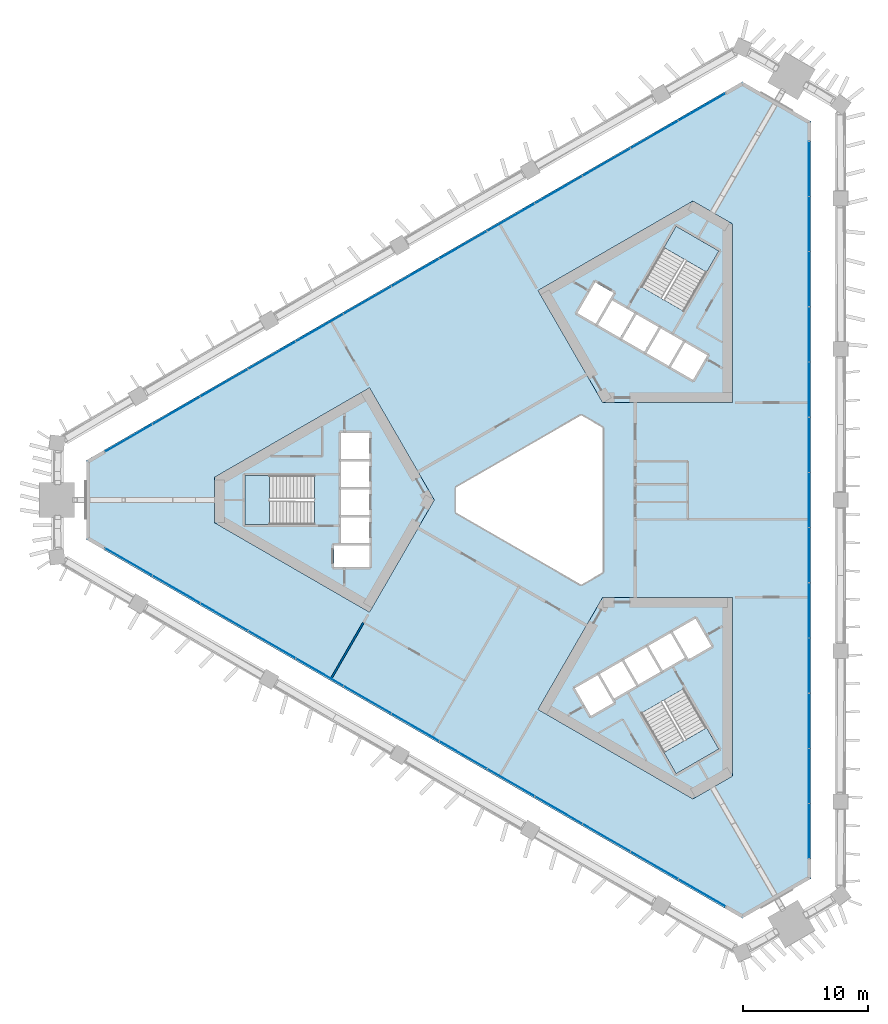
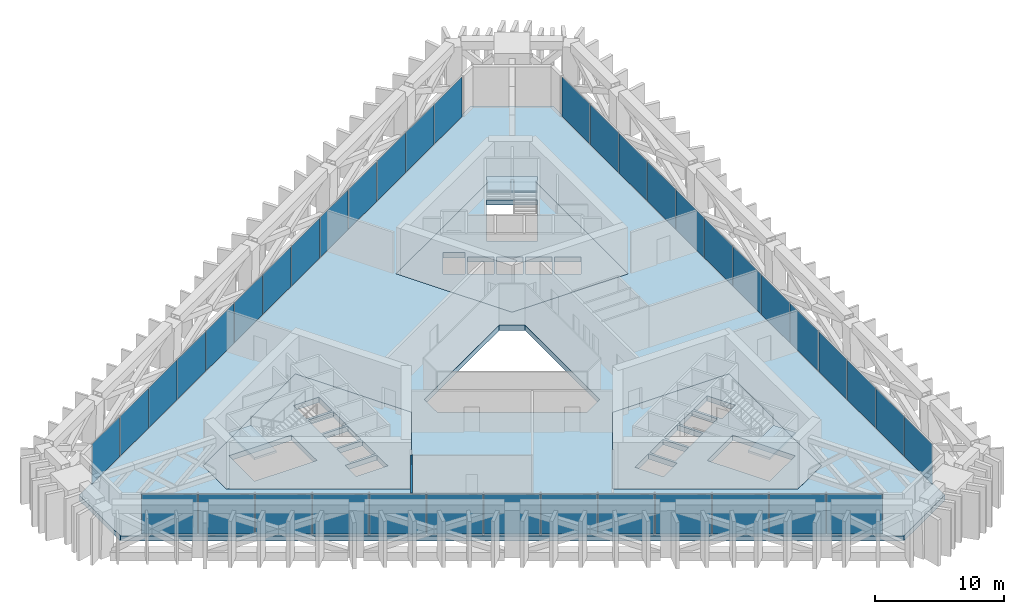
# One storey, part 13 of 18: 39 plates, 7 slabs, 1 wall, 6 elements without a shape of their own.
"""IFC4 building model written with IfcOpenShell, lengths in metres."""

from ifc_helpers import new_model, si_unit, direction, frame, frame_2d, origin, origin_2d, place, context, subcontext, project, spatial, polyline, rectangle, outline, extrude, material, layer, layer_set, type_object, element, aggregate, save


model = new_model("IFC4")

# Units and contexts
model_context = context("Model", 3, precision=1e-05, world=origin(), true_north=direction((0.0, 1.0)))
body_context = subcontext(model_context, "Body", "Model", "MODEL_VIEW")
ifc_project = project(units=[si_unit("LENGTHUNIT", "METRE"), si_unit("AREAUNIT", "SQUARE_METRE"), si_unit("VOLUMEUNIT", "CUBIC_METRE"), si_unit("PLANEANGLEUNIT", "RADIAN"), si_unit("MASSUNIT", "GRAM", prefix="KILO")], contexts=[model_context])

# Site, building, storey
site_placement = place(None, origin())
site = spatial("IfcSite", under=ifc_project, at=site_placement, CompositionType="ELEMENT")
building_placement = place(site_placement, origin())
building = spatial("IfcBuilding", under=site, at=building_placement, Name="Jabali Bay Hotel Tower and Convention Centre", CompositionType="ELEMENT")
storey_placement = place(building_placement, frame((0.0, 0.0, 52.89990234375)))
storey = spatial("IfcBuildingStorey", under=building, at=storey_placement, Name="L11", CompositionType="ELEMENT", Elevation=52.89990234375)

# Curtain wall, plates
ifc_material_1 = material(Name="Aluminium and glass", Category="aluminium")
ifc_layer_1 = layer(ifc_material_1, 0.159912109375)
ifc_layer_set_1 = layer_set([ifc_layer_1], Name="Aluminium and glass")
curtain_wall_type = type_object("IfcCurtainWallType", Name="CW3 curtain wall", PredefinedType="NOTDEFINED", material=ifc_layer_set_1)
curtain_wall_1_placement = place(storey_placement, origin())
curtain_wall_1 = element("IfcCurtainWall", 1, at=curtain_wall_1_placement, inside=storey, type_object=curtain_wall_type, Name="CW3 curtain wall east face L11", PredefinedType="NOTDEFINED")
ifc_material_2 = material(Name="Glass", Category="glass")
ifc_layer_2 = layer(ifc_material_2, 0.028076171875)
ifc_layer_set_2 = layer_set([ifc_layer_2], Name="Glass")
plate_type = type_object("IfcPlateType", Name="CW3 glass panel 28", PredefinedType="CURTAIN_PANEL", material=ifc_layer_set_2)
plate_1_placement = place(storey_placement, frame((96.03759765625, 106.521484375, 0.06005859375), z_axis=(0.0, 0.0, 1.0), x_axis=(0.0, -1.0, 0.0)))
plate_1 = element("IfcPlate", 2, at=plate_1_placement, type_object=plate_type, Name="CW3 panel 1.1", PredefinedType="CURTAIN_PANEL", context=body_context, shape_type="SweptSolid", body=[
    extrude(rectangle(XDim=4.332763671875, YDim=0.028076171875, at=origin_2d()), origin(), (0.0, 0.0, 1.0), 3.780029296875),
])
plate_2_placement = place(storey_placement, frame((96.03759765625, 102.113525390625, 0.06005859375), z_axis=(0.0, 0.0, 1.0), x_axis=(0.0, -1.0, 0.0)))
plate_2 = element("IfcPlate", 3, at=plate_2_placement, type_object=plate_type, Name="CW3 panel 2.1", PredefinedType="CURTAIN_PANEL", context=body_context, shape_type="SweptSolid", body=[
    extrude(rectangle(XDim=4.36279296875, YDim=0.028076171875, at=origin_2d()), origin(), (0.0, 0.0, 1.0), 3.780029296875),
])
plate_3_placement = place(storey_placement, frame((96.03759765625, 97.69091796875, 0.06005859375), z_axis=(0.0, 0.0, 1.0), x_axis=(0.0, -1.0, 0.0)))
plate_3 = element("IfcPlate", 4, at=plate_3_placement, type_object=plate_type, Name="CW3 panel 3.1", PredefinedType="CURTAIN_PANEL", context=body_context, shape_type="SweptSolid", body=[
    extrude(rectangle(XDim=4.36279296875, YDim=0.028076171875, at=origin_2d()), origin(), (0.0, 0.0, 1.0), 3.780029296875),
])
plate_4_placement = place(storey_placement, frame((96.03759765625, 93.26806640625, 0.06005859375), z_axis=(0.0, 0.0, 1.0), x_axis=(0.0, -1.0, 0.0)))
plate_4 = element("IfcPlate", 5, at=plate_4_placement, type_object=plate_type, Name="CW3 panel 4.1", PredefinedType="CURTAIN_PANEL", context=body_context, shape_type="SweptSolid", body=[
    extrude(rectangle(XDim=4.36279296875, YDim=0.028076171875, at=origin_2d()), origin(), (0.0, 0.0, 1.0), 3.780029296875),
])
plate_5_placement = place(storey_placement, frame((96.03759765625, 88.845458984375, 0.06005859375), z_axis=(0.0, 0.0, 1.0), x_axis=(0.0, -1.0, 0.0)))
plate_5 = element("IfcPlate", 6, at=plate_5_placement, type_object=plate_type, Name="CW3 panel 5.1", PredefinedType="CURTAIN_PANEL", context=body_context, shape_type="SweptSolid", body=[
    extrude(rectangle(XDim=4.36279296875, YDim=0.028076171875, at=origin_2d()), origin(), (0.0, 0.0, 1.0), 3.780029296875),
])
plate_6_placement = place(storey_placement, frame((96.03759765625, 84.422607421875, 0.06005859375), z_axis=(0.0, 0.0, 1.0), x_axis=(0.0, -1.0, 0.0)))
plate_6 = element("IfcPlate", 7, at=plate_6_placement, type_object=plate_type, Name="CW3 panel 6.1", PredefinedType="CURTAIN_PANEL", context=body_context, shape_type="SweptSolid", body=[
    extrude(rectangle(XDim=4.36279296875, YDim=0.028076171875, at=origin_2d()), origin(), (0.0, 0.0, 1.0), 3.780029296875),
])
plate_7_placement = place(storey_placement, frame((96.03759765625, 80.0, 0.06005859375), z_axis=(0.0, 0.0, 1.0), x_axis=(0.0, -1.0, 0.0)))
plate_7 = element("IfcPlate", 8, at=plate_7_placement, type_object=plate_type, Name="CW3 panel 7.1", PredefinedType="CURTAIN_PANEL", context=body_context, shape_type="SweptSolid", body=[
    extrude(rectangle(XDim=4.36279296875, YDim=0.028076171875, at=origin_2d()), origin(), (0.0, 0.0, 1.0), 3.780029296875),
])
plate_8_placement = place(storey_placement, frame((96.03759765625, 75.577392578125, 0.06005859375), z_axis=(0.0, 0.0, 1.0), x_axis=(0.0, -1.0, 0.0)))
plate_8 = element("IfcPlate", 9, at=plate_8_placement, type_object=plate_type, Name="CW3 panel 8.1", PredefinedType="CURTAIN_PANEL", context=body_context, shape_type="SweptSolid", body=[
    extrude(rectangle(XDim=4.36279296875, YDim=0.028076171875, at=origin_2d()), origin(), (0.0, 0.0, 1.0), 3.780029296875),
])
plate_9_placement = place(storey_placement, frame((96.03759765625, 71.154541015625, 0.06005859375), z_axis=(0.0, 0.0, 1.0), x_axis=(0.0, -1.0, 0.0)))
plate_9 = element("IfcPlate", 10, at=plate_9_placement, type_object=plate_type, Name="CW3 panel 9.1", PredefinedType="CURTAIN_PANEL", context=body_context, shape_type="SweptSolid", body=[
    extrude(rectangle(XDim=4.36279296875, YDim=0.028076171875, at=origin_2d()), origin(), (0.0, 0.0, 1.0), 3.780029296875),
])
plate_10_placement = place(storey_placement, frame((96.03759765625, 66.73193359375, 0.06005859375), z_axis=(0.0, 0.0, 1.0), x_axis=(0.0, -1.0, 0.0)))
plate_10 = element("IfcPlate", 11, at=plate_10_placement, type_object=plate_type, Name="CW3 panel 10.1", PredefinedType="CURTAIN_PANEL", context=body_context, shape_type="SweptSolid", body=[
    extrude(rectangle(XDim=4.36279296875, YDim=0.028076171875, at=origin_2d()), origin(), (0.0, 0.0, 1.0), 3.780029296875),
])
plate_11_placement = place(storey_placement, frame((96.03759765625, 62.30908203125, 0.06005859375), z_axis=(0.0, 0.0, 1.0), x_axis=(0.0, -1.0, 0.0)))
plate_11 = element("IfcPlate", 12, at=plate_11_placement, type_object=plate_type, Name="CW3 panel 11.1", PredefinedType="CURTAIN_PANEL", context=body_context, shape_type="SweptSolid", body=[
    extrude(rectangle(XDim=4.36279296875, YDim=0.028076171875, at=origin_2d()), origin(), (0.0, 0.0, 1.0), 3.780029296875),
])
plate_12_placement = place(storey_placement, frame((96.03759765625, 57.886474609375, 0.06005859375), z_axis=(0.0, 0.0, 1.0), x_axis=(0.0, -1.0, 0.0)))
plate_12 = element("IfcPlate", 13, at=plate_12_placement, type_object=plate_type, Name="CW3 panel 12.1", PredefinedType="CURTAIN_PANEL", context=body_context, shape_type="SweptSolid", body=[
    extrude(rectangle(XDim=4.36279296875, YDim=0.028076171875, at=origin_2d()), origin(), (0.0, 0.0, 1.0), 3.780029296875),
])
plate_13_placement = place(storey_placement, frame((96.03759765625, 53.478515625, 0.06005859375), z_axis=(0.0, 0.0, 1.0), x_axis=(0.0, -1.0, 0.0)))
plate_13 = element("IfcPlate", 14, at=plate_13_placement, type_object=plate_type, Name="CW3 panel 13.1", PredefinedType="CURTAIN_PANEL", context=body_context, shape_type="SweptSolid", body=[
    extrude(rectangle(XDim=4.332763671875, YDim=0.028076171875, at=origin_2d()), origin(), (0.0, 0.0, 1.0), 3.780029296875),
])
aggregate(curtain_wall_1, [plate_1, plate_2, plate_3, plate_4, plate_5, plate_6, plate_7, plate_8, plate_9, plate_10, plate_11, plate_12, plate_13])

curtain_wall_2_placement = place(storey_placement, origin())
curtain_wall_2 = element("IfcCurtainWall", 15, at=curtain_wall_2_placement, inside=storey, type_object=curtain_wall_type, Name="CW3 curtain wall north-west face L11", PredefinedType="NOTDEFINED")
plate_14_placement = place(storey_placement, frame((41.512939453125, 84.95849609375, 0.06005859375), z_axis=(0.0, 0.0, 1.0), x_axis=(0.866025400381, 0.500000005895, 0.0)))
plate_14 = element("IfcPlate", 16, at=plate_14_placement, type_object=plate_type, Name="CW3 panel 1.1", PredefinedType="CURTAIN_PANEL", context=body_context, shape_type="SweptSolid", body=[
    extrude(rectangle(XDim=4.332763671875, YDim=0.028076171875, at=origin_2d()), origin(), (0.0, 0.0, 1.0), 3.780029296875),
])
plate_15_placement = place(storey_placement, frame((45.330078125, 87.162353515625, 0.06005859375), z_axis=(0.0, 0.0, 1.0), x_axis=(0.866025400381, 0.500000005895, 0.0)))
plate_15 = element("IfcPlate", 17, at=plate_15_placement, type_object=plate_type, Name="CW3 panel 2.1", PredefinedType="CURTAIN_PANEL", context=body_context, shape_type="SweptSolid", body=[
    extrude(rectangle(XDim=4.36279296875, YDim=0.028076171875, at=origin_2d()), origin(), (0.0, 0.0, 1.0), 3.780029296875),
])
plate_16_placement = place(storey_placement, frame((49.160400390625, 89.373779296875, 0.06005859375), z_axis=(0.0, 0.0, 1.0), x_axis=(0.866025400381, 0.500000005895, 0.0)))
plate_16 = element("IfcPlate", 18, at=plate_16_placement, type_object=plate_type, Name="CW3 panel 3.1", PredefinedType="CURTAIN_PANEL", context=body_context, shape_type="SweptSolid", body=[
    extrude(rectangle(XDim=4.36279296875, YDim=0.028076171875, at=origin_2d()), origin(), (0.0, 0.0, 1.0), 3.780029296875),
])
plate_17_placement = place(storey_placement, frame((52.990478515625, 91.5849609375, 0.06005859375), z_axis=(0.0, 0.0, 1.0), x_axis=(0.866025400381, 0.500000005895, 0.0)))
plate_17 = element("IfcPlate", 19, at=plate_17_placement, type_object=plate_type, Name="CW3 panel 4.1", PredefinedType="CURTAIN_PANEL", context=body_context, shape_type="SweptSolid", body=[
    extrude(rectangle(XDim=4.36279296875, YDim=0.028076171875, at=origin_2d()), origin(), (0.0, 0.0, 1.0), 3.780029296875),
])
plate_18_placement = place(storey_placement, frame((56.82080078125, 93.79638671875, 0.06005859375), z_axis=(0.0, 0.0, 1.0), x_axis=(0.866025400381, 0.500000005895, 0.0)))
plate_18 = element("IfcPlate", 20, at=plate_18_placement, type_object=plate_type, Name="CW3 panel 5.1", PredefinedType="CURTAIN_PANEL", context=body_context, shape_type="SweptSolid", body=[
    extrude(rectangle(XDim=4.36279296875, YDim=0.028076171875, at=origin_2d()), origin(), (0.0, 0.0, 1.0), 3.780029296875),
])
plate_19_placement = place(storey_placement, frame((60.65087890625, 96.0078125, 0.06005859375), z_axis=(0.0, 0.0, 1.0), x_axis=(0.866025400381, 0.500000005895, 0.0)))
plate_19 = element("IfcPlate", 21, at=plate_19_placement, type_object=plate_type, Name="CW3 panel 6.1", PredefinedType="CURTAIN_PANEL", context=body_context, shape_type="SweptSolid", body=[
    extrude(rectangle(XDim=4.36279296875, YDim=0.028076171875, at=origin_2d()), origin(), (0.0, 0.0, 1.0), 3.780029296875),
])
plate_20_placement = place(storey_placement, frame((64.481201171875, 98.21923828125, 0.06005859375), z_axis=(0.0, 0.0, 1.0), x_axis=(0.866025400381, 0.500000005895, 0.0)))
plate_20 = element("IfcPlate", 22, at=plate_20_placement, type_object=plate_type, Name="CW3 panel 7.1", PredefinedType="CURTAIN_PANEL", context=body_context, shape_type="SweptSolid", body=[
    extrude(rectangle(XDim=4.36279296875, YDim=0.028076171875, at=origin_2d()), origin(), (0.0, 0.0, 1.0), 3.780029296875),
])
plate_21_placement = place(storey_placement, frame((68.311279296875, 100.430419921875, 0.06005859375), z_axis=(0.0, 0.0, 1.0), x_axis=(0.866025400381, 0.500000005895, 0.0)))
plate_21 = element("IfcPlate", 23, at=plate_21_placement, type_object=plate_type, Name="CW3 panel 8.1", PredefinedType="CURTAIN_PANEL", context=body_context, shape_type="SweptSolid", body=[
    extrude(rectangle(XDim=4.36279296875, YDim=0.028076171875, at=origin_2d()), origin(), (0.0, 0.0, 1.0), 3.780029296875),
])
plate_22_placement = place(storey_placement, frame((72.1416015625, 102.641845703125, 0.06005859375), z_axis=(0.0, 0.0, 1.0), x_axis=(0.866025400381, 0.500000005895, 0.0)))
plate_22 = element("IfcPlate", 24, at=plate_22_placement, type_object=plate_type, Name="CW3 panel 9.1", PredefinedType="CURTAIN_PANEL", context=body_context, shape_type="SweptSolid", body=[
    extrude(rectangle(XDim=4.36279296875, YDim=0.028076171875, at=origin_2d()), origin(), (0.0, 0.0, 1.0), 3.780029296875),
])
plate_23_placement = place(storey_placement, frame((75.9716796875, 104.853271484375, 0.06005859375), z_axis=(0.0, 0.0, 1.0), x_axis=(0.866025400381, 0.500000005895, 0.0)))
plate_23 = element("IfcPlate", 25, at=plate_23_placement, type_object=plate_type, Name="CW3 panel 10.1", PredefinedType="CURTAIN_PANEL", context=body_context, shape_type="SweptSolid", body=[
    extrude(rectangle(XDim=4.36279296875, YDim=0.028076171875, at=origin_2d()), origin(), (0.0, 0.0, 1.0), 3.780029296875),
])
plate_24_placement = place(storey_placement, frame((79.802001953125, 107.064697265625, 0.06005859375), z_axis=(0.0, 0.0, 1.0), x_axis=(0.866025400381, 0.500000005895, 0.0)))
plate_24 = element("IfcPlate", 26, at=plate_24_placement, type_object=plate_type, Name="CW3 panel 11.1", PredefinedType="CURTAIN_PANEL", context=body_context, shape_type="SweptSolid", body=[
    extrude(rectangle(XDim=4.36279296875, YDim=0.028076171875, at=origin_2d()), origin(), (0.0, 0.0, 1.0), 3.780029296875),
])
plate_25_placement = place(storey_placement, frame((83.632080078125, 109.27587890625, 0.06005859375), z_axis=(0.0, 0.0, 1.0), x_axis=(0.866025400381, 0.500000005895, 0.0)))
plate_25 = element("IfcPlate", 27, at=plate_25_placement, type_object=plate_type, Name="CW3 panel 12.1", PredefinedType="CURTAIN_PANEL", context=body_context, shape_type="SweptSolid", body=[
    extrude(rectangle(XDim=4.36279296875, YDim=0.028076171875, at=origin_2d()), origin(), (0.0, 0.0, 1.0), 3.780029296875),
])
plate_26_placement = place(storey_placement, frame((87.449462890625, 111.479736328125, 0.06005859375), z_axis=(0.0, 0.0, 1.0), x_axis=(0.866025400381, 0.500000005895, 0.0)))
plate_26 = element("IfcPlate", 28, at=plate_26_placement, type_object=plate_type, Name="CW3 panel 13.1", PredefinedType="CURTAIN_PANEL", context=body_context, shape_type="SweptSolid", body=[
    extrude(rectangle(XDim=4.332763671875, YDim=0.028076171875, at=origin_2d()), origin(), (0.0, 0.0, 1.0), 3.780029296875),
])
aggregate(curtain_wall_2, [plate_14, plate_15, plate_16, plate_17, plate_18, plate_19, plate_20, plate_21, plate_22, plate_23, plate_24, plate_25, plate_26])

curtain_wall_3_placement = place(storey_placement, origin())
curtain_wall_3 = element("IfcCurtainWall", 29, at=curtain_wall_3_placement, inside=storey, type_object=curtain_wall_type, Name="CW3 curtain wall south-west face L11", PredefinedType="NOTDEFINED")
plate_27_placement = place(storey_placement, frame((87.449462890625, 48.520263671875, 0.06005859375), z_axis=(0.0, 0.0, 1.0), x_axis=(-0.866025400381, 0.500000005895, 0.0)))
plate_27 = element("IfcPlate", 30, at=plate_27_placement, type_object=plate_type, Name="CW3 panel 1.1", PredefinedType="CURTAIN_PANEL", context=body_context, shape_type="SweptSolid", body=[
    extrude(rectangle(XDim=4.332763671875, YDim=0.028076171875, at=origin_2d()), origin(), (0.0, 0.0, 1.0), 3.780029296875),
])
plate_28_placement = place(storey_placement, frame((83.632080078125, 50.72412109375, 0.06005859375), z_axis=(0.0, 0.0, 1.0), x_axis=(-0.866025400381, 0.500000005895, 0.0)))
plate_28 = element("IfcPlate", 31, at=plate_28_placement, type_object=plate_type, Name="CW3 panel 2.1", PredefinedType="CURTAIN_PANEL", context=body_context, shape_type="SweptSolid", body=[
    extrude(rectangle(XDim=4.36279296875, YDim=0.028076171875, at=origin_2d()), origin(), (0.0, 0.0, 1.0), 3.780029296875),
])
plate_29_placement = place(storey_placement, frame((79.802001953125, 52.935302734375, 0.06005859375), z_axis=(0.0, 0.0, 1.0), x_axis=(-0.866025400381, 0.500000005895, 0.0)))
plate_29 = element("IfcPlate", 32, at=plate_29_placement, type_object=plate_type, Name="CW3 panel 3.1", PredefinedType="CURTAIN_PANEL", context=body_context, shape_type="SweptSolid", body=[
    extrude(rectangle(XDim=4.36279296875, YDim=0.028076171875, at=origin_2d()), origin(), (0.0, 0.0, 1.0), 3.780029296875),
])
plate_30_placement = place(storey_placement, frame((75.9716796875, 55.146728515625, 0.06005859375), z_axis=(0.0, 0.0, 1.0), x_axis=(-0.866025400381, 0.500000005895, 0.0)))
plate_30 = element("IfcPlate", 33, at=plate_30_placement, type_object=plate_type, Name="CW3 panel 4.1", PredefinedType="CURTAIN_PANEL", context=body_context, shape_type="SweptSolid", body=[
    extrude(rectangle(XDim=4.36279296875, YDim=0.028076171875, at=origin_2d()), origin(), (0.0, 0.0, 1.0), 3.780029296875),
])
plate_31_placement = place(storey_placement, frame((72.1416015625, 57.358154296875, 0.06005859375), z_axis=(0.0, 0.0, 1.0), x_axis=(-0.866025400381, 0.500000005895, 0.0)))
plate_31 = element("IfcPlate", 34, at=plate_31_placement, type_object=plate_type, Name="CW3 panel 5.1", PredefinedType="CURTAIN_PANEL", context=body_context, shape_type="SweptSolid", body=[
    extrude(rectangle(XDim=4.36279296875, YDim=0.028076171875, at=origin_2d()), origin(), (0.0, 0.0, 1.0), 3.780029296875),
])
plate_32_placement = place(storey_placement, frame((68.311279296875, 59.569580078125, 0.06005859375), z_axis=(0.0, 0.0, 1.0), x_axis=(-0.866025400381, 0.500000005895, 0.0)))
plate_32 = element("IfcPlate", 35, at=plate_32_placement, type_object=plate_type, Name="CW3 panel 6.1", PredefinedType="CURTAIN_PANEL", context=body_context, shape_type="SweptSolid", body=[
    extrude(rectangle(XDim=4.36279296875, YDim=0.028076171875, at=origin_2d()), origin(), (0.0, 0.0, 1.0), 3.780029296875),
])
plate_33_placement = place(storey_placement, frame((64.481201171875, 61.78076171875, 0.06005859375), z_axis=(0.0, 0.0, 1.0), x_axis=(-0.866025400381, 0.500000005895, 0.0)))
plate_33 = element("IfcPlate", 36, at=plate_33_placement, type_object=plate_type, Name="CW3 panel 7.1", PredefinedType="CURTAIN_PANEL", context=body_context, shape_type="SweptSolid", body=[
    extrude(rectangle(XDim=4.36279296875, YDim=0.028076171875, at=origin_2d()), origin(), (0.0, 0.0, 1.0), 3.780029296875),
])
plate_34_placement = place(storey_placement, frame((60.65087890625, 63.9921875, 0.06005859375), z_axis=(0.0, 0.0, 1.0), x_axis=(-0.866025400381, 0.500000005895, 0.0)))
plate_34 = element("IfcPlate", 37, at=plate_34_placement, type_object=plate_type, Name="CW3 panel 8.1", PredefinedType="CURTAIN_PANEL", context=body_context, shape_type="SweptSolid", body=[
    extrude(rectangle(XDim=4.36279296875, YDim=0.028076171875, at=origin_2d()), origin(), (0.0, 0.0, 1.0), 3.780029296875),
])
plate_35_placement = place(storey_placement, frame((56.82080078125, 66.20361328125, 0.06005859375), z_axis=(0.0, 0.0, 1.0), x_axis=(-0.866025400381, 0.500000005895, 0.0)))
plate_35 = element("IfcPlate", 38, at=plate_35_placement, type_object=plate_type, Name="CW3 panel 9.1", PredefinedType="CURTAIN_PANEL", context=body_context, shape_type="SweptSolid", body=[
    extrude(rectangle(XDim=4.36279296875, YDim=0.028076171875, at=origin_2d()), origin(), (0.0, 0.0, 1.0), 3.780029296875),
])
plate_36_placement = place(storey_placement, frame((52.990478515625, 68.4150390625, 0.06005859375), z_axis=(0.0, 0.0, 1.0), x_axis=(-0.866025400381, 0.500000005895, 0.0)))
plate_36 = element("IfcPlate", 39, at=plate_36_placement, type_object=plate_type, Name="CW3 panel 10.1", PredefinedType="CURTAIN_PANEL", context=body_context, shape_type="SweptSolid", body=[
    extrude(rectangle(XDim=4.36279296875, YDim=0.028076171875, at=origin_2d()), origin(), (0.0, 0.0, 1.0), 3.780029296875),
])
plate_37_placement = place(storey_placement, frame((49.160400390625, 70.626220703125, 0.06005859375), z_axis=(0.0, 0.0, 1.0), x_axis=(-0.866025400381, 0.500000005895, 0.0)))
plate_37 = element("IfcPlate", 40, at=plate_37_placement, type_object=plate_type, Name="CW3 panel 11.1", PredefinedType="CURTAIN_PANEL", context=body_context, shape_type="SweptSolid", body=[
    extrude(rectangle(XDim=4.36279296875, YDim=0.028076171875, at=origin_2d()), origin(), (0.0, 0.0, 1.0), 3.780029296875),
])
plate_38_placement = place(storey_placement, frame((45.330078125, 72.837646484375, 0.06005859375), z_axis=(0.0, 0.0, 1.0), x_axis=(-0.866025400381, 0.500000005895, 0.0)))
plate_38 = element("IfcPlate", 41, at=plate_38_placement, type_object=plate_type, Name="CW3 panel 12.1", PredefinedType="CURTAIN_PANEL", context=body_context, shape_type="SweptSolid", body=[
    extrude(rectangle(XDim=4.36279296875, YDim=0.028076171875, at=origin_2d()), origin(), (0.0, 0.0, 1.0), 3.780029296875),
])
plate_39_placement = place(storey_placement, frame((41.512939453125, 75.04150390625, 0.06005859375), z_axis=(0.0, 0.0, 1.0), x_axis=(-0.866025400381, 0.500000005895, 0.0)))
plate_39 = element("IfcPlate", 42, at=plate_39_placement, type_object=plate_type, Name="CW3 panel 13.1", PredefinedType="CURTAIN_PANEL", context=body_context, shape_type="SweptSolid", body=[
    extrude(rectangle(XDim=4.332763671875, YDim=0.028076171875, at=origin_2d()), origin(), (0.0, 0.0, 1.0), 3.780029296875),
])
aggregate(curtain_wall_3, [plate_27, plate_28, plate_29, plate_30, plate_31, plate_32, plate_33, plate_34, plate_35, plate_36, plate_37, plate_38, plate_39])

# Slabs
ifc_material_3 = material(Name="Concrete C40", Category="concrete")
ifc_layer_3 = layer(ifc_material_3, 0.5)
ifc_layer_set_3 = layer_set([ifc_layer_3], Name="Concrete C40")
slab_type_1 = type_object("IfcSlabType", Name="Core floor slab 500", PredefinedType="FLOOR", material=ifc_layer_set_3)
slab_1_placement = place(storey_placement, frame((0.0, 0.0, -0.5)))
element("IfcSlab", 43, at=slab_1_placement, inside=storey, type_object=slab_type_1, Name="Core floor slab 1 L11", PredefinedType="FLOOR", context=body_context, shape_type="SweptSolid", body=[
    extrude(outline(polyline([(66.0, 80.0), (60.81005859375, 88.9892578125), (48.39697265625, 81.82275390625), (48.39697265625, 78.17724609375), (60.81005859375, 71.0107421875), (66.0, 80.0)]), holes=[polyline([(60.800048828125, 74.64990234375), (60.800048828125, 76.35009765625), (57.949951171875, 76.35009765625), (57.949951171875, 74.64990234375), (60.800048828125, 74.64990234375)]), polyline([(58.52001953125, 76.550048828125), (60.800048828125, 76.550048828125), (60.800048828125, 78.60009765625), (58.52001953125, 78.60009765625), (58.52001953125, 76.550048828125)]), polyline([(58.52001953125, 78.800048828125), (60.800048828125, 78.800048828125), (60.800048828125, 80.85009765625), (58.52001953125, 80.85009765625), (58.52001953125, 78.800048828125)]), polyline([(56.409912109375, 81.97509765625), (50.820068359375, 81.97509765625), (50.820068359375, 78.02490234375), (56.409912109375, 78.02490234375), (56.409912109375, 81.97509765625)]), polyline([(58.52001953125, 81.050048828125), (60.800048828125, 81.050048828125), (60.800048828125, 83.10009765625), (58.52001953125, 83.10009765625), (58.52001953125, 81.050048828125)]), polyline([(58.52001953125, 83.300048828125), (60.800048828125, 83.300048828125), (60.800048828125, 85.35009765625), (58.52001953125, 85.35009765625), (58.52001953125, 83.300048828125)])]), origin(), (0.0, 0.0, 1.0), 0.5),
])
slab_2_placement = place(storey_placement, frame((0.0, 0.0, -0.5)))
element("IfcSlab", 44, at=slab_2_placement, inside=storey, type_object=slab_type_1, Name="Core floor slab 2 L11", PredefinedType="FLOOR", context=body_context, shape_type="SweptSolid", body=[
    extrude(outline(polyline([(79.5, 87.794189453125), (89.8798828125, 87.794189453125), (89.8798828125, 102.127685546875), (86.72314453125, 103.9501953125), (74.31005859375, 96.78369140625), (79.5, 87.794189453125)]), holes=[polyline([(84.957763671875, 90.6474609375), (86.733154296875, 89.62255859375), (87.873291015625, 91.59716796875), (86.097900390625, 92.6220703125), (84.957763671875, 90.6474609375)]), polyline([(84.1494140625, 93.7470703125), (83.00927734375, 91.7724609375), (84.78466796875, 90.74755859375), (85.924560546875, 92.72216796875), (84.1494140625, 93.7470703125)]), polyline([(82.20068359375, 94.8720703125), (81.060791015625, 92.8974609375), (82.836181640625, 91.87255859375), (83.97607421875, 93.84716796875), (82.20068359375, 94.8720703125)]), polyline([(79.1123046875, 94.0224609375), (80.887451171875, 92.99755859375), (82.027587890625, 94.97216796875), (80.252197265625, 95.9970703125), (79.1123046875, 94.0224609375)]), polyline([(78.891845703125, 97.440673828125), (77.466796875, 94.97265625), (78.93896484375, 94.12255859375), (80.364013671875, 96.5908203125), (78.891845703125, 97.440673828125)]), polyline([(82.584716796875, 97.0869140625), (86.00537109375, 95.11181640625), (88.80029296875, 99.952880859375), (85.379638671875, 101.927978515625), (82.584716796875, 97.0869140625)])]), origin(), (0.0, 0.0, 1.0), 0.5),
])
slab_3_placement = place(storey_placement, frame((0.0, 0.0, -0.5)))
element("IfcSlab", 45, at=slab_3_placement, inside=storey, type_object=slab_type_1, Name="Core floor slab 3 L11", PredefinedType="FLOOR", context=body_context, shape_type="SweptSolid", body=[
    extrude(outline(polyline([(79.5, 72.205810546875), (74.31005859375, 63.21630859375), (86.72314453125, 56.0498046875), (89.8798828125, 57.872314453125), (89.8798828125, 72.205810546875), (79.5, 72.205810546875)]), holes=[polyline([(82.584716796875, 62.9130859375), (85.379638671875, 58.072021484375), (88.80029296875, 60.047119140625), (86.00537109375, 64.88818359375), (82.584716796875, 62.9130859375)]), polyline([(80.365478515625, 63.756591796875), (79.090576171875, 65.96484375), (77.27197265625, 64.9150390625), (78.546875, 62.70654296875), (80.365478515625, 63.756591796875)]), polyline([(82.17919921875, 65.115478515625), (81.0390625, 67.08984375), (79.263671875, 66.06494140625), (80.40380859375, 64.09033203125), (82.17919921875, 65.115478515625)]), polyline([(82.98779296875, 68.21484375), (81.21240234375, 67.18994140625), (82.352294921875, 65.21533203125), (84.127685546875, 66.240478515625), (82.98779296875, 68.21484375)]), polyline([(86.076171875, 67.365478515625), (84.936279296875, 69.33984375), (83.160888671875, 68.31494140625), (84.30078125, 66.34033203125), (86.076171875, 67.365478515625)]), polyline([(88.203125, 68.281494140625), (86.927978515625, 70.489990234375), (85.109375, 69.43994140625), (86.384521484375, 67.231689453125), (88.203125, 68.281494140625)])]), origin(), (0.0, 0.0, 1.0), 0.5),
])
ifc_layer_4 = layer(ifc_material_3, 0.5)
ifc_layer_set_4 = layer_set([ifc_layer_4], Name="Concrete C40")
slab_type_2 = type_object("IfcSlabType", Name="Post-tensioned flat slab 500", PredefinedType="FLOOR", material=ifc_layer_set_4)
slab_4_placement = place(storey_placement, frame((0.0, 0.0, -0.5)))
element("IfcSlab", 46, at=slab_4_placement, inside=storey, type_object=slab_type_2, Name="Floor slab L11", PredefinedType="FLOOR", context=body_context, shape_type="SweptSolid", body=[
    extrude(outline(polyline([(90.676513671875, 113.51611328125), (96.187744140625, 110.334228515625), (96.187744140625, 49.665771484375), (90.676513671875, 46.48388671875), (38.1357421875, 76.818115234375), (38.1357421875, 83.181884765625), (90.676513671875, 113.51611328125)]), holes=[polyline([(67.73193359375, 79.0), (77.76806640625, 73.205810546875), (79.5, 74.205810546875), (79.5, 85.794189453125), (77.76806640625, 86.794189453125), (67.73193359375, 81.0), (67.73193359375, 79.0)]), polyline([(48.39697265625, 78.17724609375), (60.81005859375, 71.0107421875), (66.0, 80.0), (60.81005859375, 88.9892578125), (48.39697265625, 81.82275390625), (48.39697265625, 78.17724609375)]), polyline([(89.8798828125, 102.127685546875), (86.72314453125, 103.9501953125), (74.31005859375, 96.78369140625), (79.5, 87.794189453125), (89.8798828125, 87.794189453125), (89.8798828125, 102.127685546875)]), polyline([(74.31005859375, 63.21630859375), (86.72314453125, 56.0498046875), (89.8798828125, 57.872314453125), (89.8798828125, 72.205810546875), (79.5, 72.205810546875), (74.31005859375, 63.21630859375)])]), origin(), (0.0, 0.0, 1.0), 0.5),
])

# Stair, slab
stair_type = type_object("IfcStairType", Name="Exit stair 1900", PredefinedType="HALF_TURN_STAIR", material=ifc_material_3)
stair_1_placement = place(storey_placement, origin())
stair_1 = element("IfcStair", 47, at=stair_1_placement, inside=storey, type_object=stair_type, Name="L11 Exit Stair 1", PredefinedType="HALF_TURN_STAIR")
ifc_layer_5 = layer(ifc_material_3, 0.199951171875)
ifc_layer_set_5 = layer_set([ifc_layer_5], Name="Concrete C40")
slab_type_3 = type_object("IfcSlabType", Name="Stair landing 200", PredefinedType="LANDING", material=ifc_layer_set_5)
slab_5_placement = place(storey_placement, frame((0.0, 0.0, 2.0)))
slab_5 = element("IfcSlab", 48, at=slab_5_placement, type_object=slab_type_3, Name="ST1 landing 1", PredefinedType="LANDING", context=body_context, shape_type="SweptSolid", body=[
    extrude(outline(polyline([(52.782958984375, 81.97509765625), (50.820068359375, 81.97509765625), (50.820068359375, 78.02490234375), (52.782958984375, 78.02490234375), (52.782958984375, 81.97509765625)])), origin(), (0.0, 0.0, 1.0), 0.2001953125),
])
aggregate(stair_1, [slab_5])

stair_2_placement = place(storey_placement, origin())
stair_2 = element("IfcStair", 49, at=stair_2_placement, inside=storey, type_object=stair_type, Name="L11 Exit Stair 2", PredefinedType="HALF_TURN_STAIR")
slab_6_placement = place(storey_placement, frame((0.0, 0.0, 2.0)))
slab_6 = element("IfcSlab", 50, at=slab_6_placement, type_object=slab_type_3, Name="ST2 landing 1", PredefinedType="LANDING", context=body_context, shape_type="SweptSolid", body=[
    extrude(outline(polyline([(87.81884765625, 98.2529296875), (88.80029296875, 99.952880859375), (85.379638671875, 101.927978515625), (84.398193359375, 100.22802734375), (87.81884765625, 98.2529296875)])), origin(), (0.0, 0.0, 1.0), 0.2001953125),
])
aggregate(stair_2, [slab_6])

stair_3_placement = place(storey_placement, origin())
stair_3 = element("IfcStair", 51, at=stair_3_placement, inside=storey, type_object=stair_type, Name="L11 Exit Stair 3", PredefinedType="HALF_TURN_STAIR")
slab_7_placement = place(storey_placement, frame((0.0, 0.0, 2.0)))
slab_7 = element("IfcSlab", 52, at=slab_7_placement, type_object=slab_type_3, Name="ST3 landing 1", PredefinedType="LANDING", context=body_context, shape_type="SweptSolid", body=[
    extrude(outline(polyline([(84.398193359375, 59.77197265625), (85.379638671875, 58.072021484375), (88.80029296875, 60.047119140625), (87.81884765625, 61.7470703125), (84.398193359375, 59.77197265625)])), origin(), (0.0, 0.0, 1.0), 0.2001953125),
])
aggregate(stair_3, [slab_7])

# Wall
ifc_material_4 = material(Name="Plasterboard on steel stud", Category="steel")
ifc_layer_6 = layer(ifc_material_4, 0.14990234375)
ifc_layer_set_6 = layer_set([ifc_layer_6], Name="Plasterboard on steel stud")
wall_type = type_object("IfcWallType", Name="Partition 150 wet", PredefinedType="PARTITIONING", material=ifc_layer_set_6)
wall_placement = place(storey_placement, frame((57.758056640625, 65.724609375, 0.0), z_axis=(0.0, 0.0, 1.0), x_axis=(0.50000453793, 0.866022783793, 0.0)))
element("IfcWall", 53, at=wall_placement, inside=storey, type_object=wall_type, Name="Partition P03 L11 015", PredefinedType="PARTITIONING", context=body_context, shape_type="SweptSolid", body=[
    extrude(rectangle(XDim=5.16943359375, YDim=0.14990234375, at=frame_2d((2.584716796875, 0.0))), origin(), (0.0, 0.0, 1.0), 3.900146484375),
])

save(model, "model.ifc")
